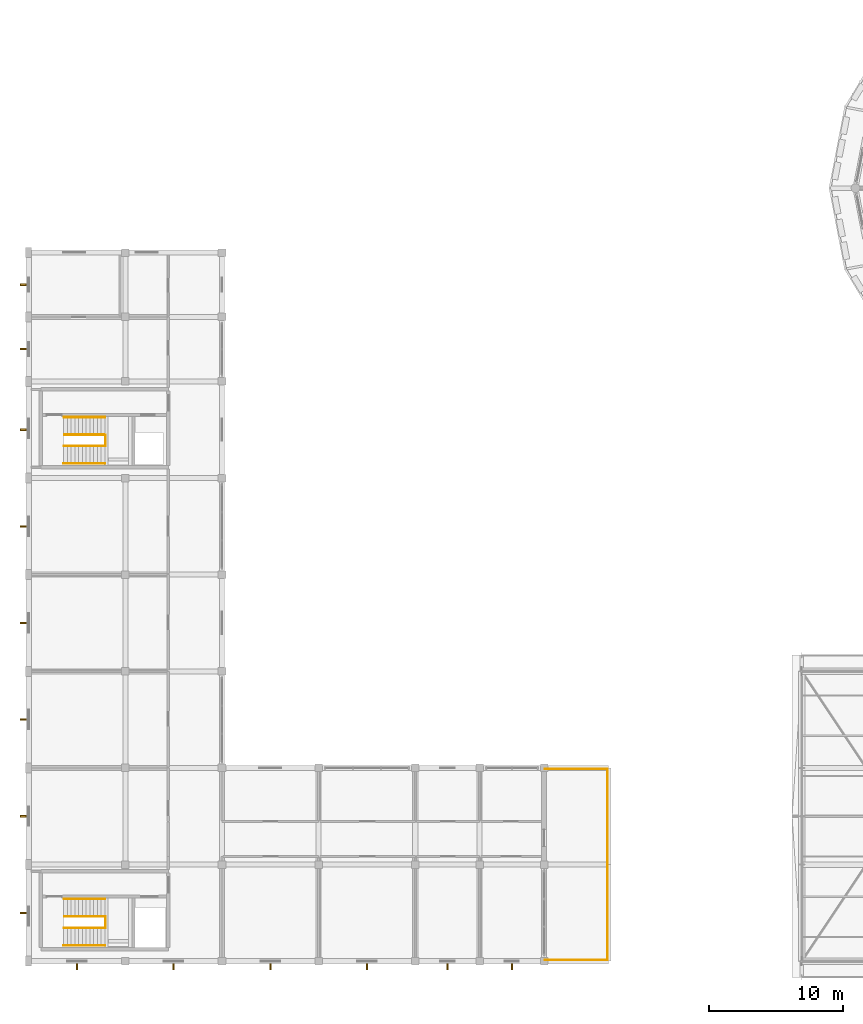
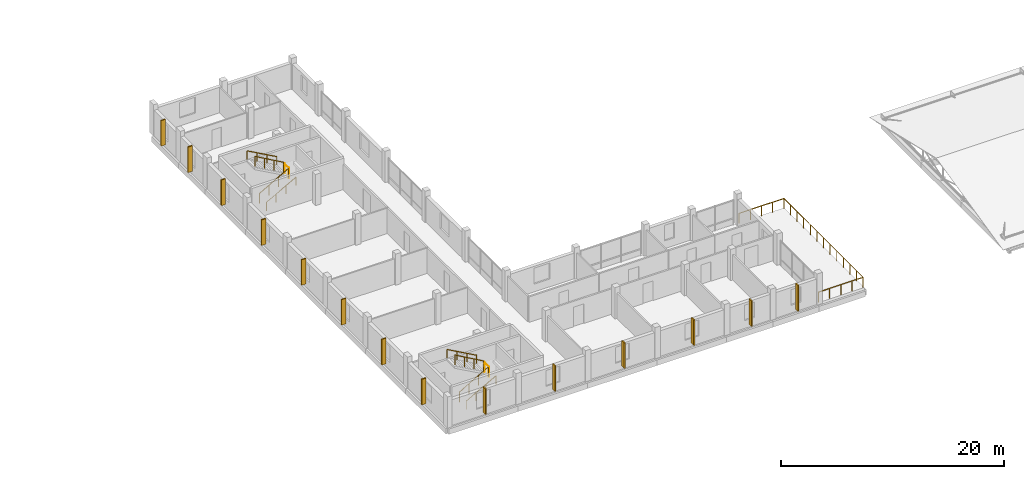
# One storey, part 79 of 84: 14 shading devices, 13 railings.
"""IFC4 building model written with IfcOpenShell, lengths in metres."""

from ifc_helpers import new_model, si_unit, direction, frame, origin, origin_2d, place, context, subcontext, project, spatial, rectangle, circle, extrude, material, type_object, element, save


model = new_model("IFC4")

# Units and contexts
model_context = context("Model", 3, precision=1e-05, world=origin(), true_north=direction((0.0, 1.0)))
body_context = subcontext(model_context, "Body", "Model", "MODEL_VIEW")
ifc_project = project(units=[si_unit("LENGTHUNIT", "METRE"), si_unit("AREAUNIT", "SQUARE_METRE"), si_unit("VOLUMEUNIT", "CUBIC_METRE"), si_unit("PLANEANGLEUNIT", "RADIAN"), si_unit("MASSUNIT", "GRAM", prefix="KILO")], contexts=[model_context])

# Site, building, storey
site_placement = place(None, origin())
site = spatial("IfcSite", under=ifc_project, at=site_placement, CompositionType="ELEMENT")
building_placement = place(site_placement, origin())
building = spatial("IfcBuilding", under=site, at=building_placement, Name="Zornivar Specialist Clinic", CompositionType="ELEMENT")
storey_placement = place(building_placement, frame((0.0, 0.0, 12.300048828125)))
storey = spatial("IfcBuildingStorey", under=building, at=storey_placement, Name="L03", CompositionType="ELEMENT", Elevation=12.300048828125)

# Railings
ifc_material_1 = material(Name="Brushed Stainless Steel Stair Guardrail", Category="steel")
railing_type_1 = type_object("IfcRailingType", Name="GRD-INT-STAIR-1100", PredefinedType="GUARDRAIL", material=ifc_material_1)
railing_1_placement = place(storey_placement, frame((2.639892578125, 2.47998046875, 0.154052734375)))
element("IfcRailing", 1, at=railing_1_placement, inside=storey, type_object=railing_type_1, Name="stair:C1:L03:grd1", PredefinedType="GUARDRAIL", context=body_context, shape_type="SweptSolid", body=[
    extrude(circle(Radius=0.02392578125, at=origin_2d()), frame((0.0, 0.0, 1.076171875), z_axis=(0.870544365607, 0.0, 0.492089938436), x_axis=(0.0, 1.0, 0.0)), (0.0, 0.0, 1.0), 3.446044921875),
    extrude(circle(Radius=0.02099609375, at=origin_2d()), origin(), (0.0, 0.0, 1.0), 1.052001953125),
    extrude(circle(Radius=0.02099609375, at=origin_2d()), frame((1.0, 0.0, 0.565185546875)), (0.0, 0.0, 1.0), 1.052001953125),
    extrude(circle(Radius=0.02099609375, at=origin_2d()), frame((2.0, 0.0, 1.130615234375)), (0.0, 0.0, 1.0), 1.052001953125),
    extrude(circle(Radius=0.02099609375, at=origin_2d()), frame((3.0, 0.0, 1.69580078125)), (0.0, 0.0, 1.0), 1.052001953125),
])
railing_2_placement = place(storey_placement, frame((5.639892578125, 3.320068359375, 2.00390625)))
element("IfcRailing", 2, at=railing_2_placement, inside=storey, type_object=railing_type_1, Name="stair:C1:L03:grd2", PredefinedType="GUARDRAIL", context=body_context, shape_type="SweptSolid", body=[
    extrude(circle(Radius=0.02392578125, at=origin_2d()), frame((0.0, 0.0, 1.076171875), z_axis=(-0.869096283189, 0.0, 0.49464295259), x_axis=(0.0, -1.0, 0.0)), (0.0, 0.0, 1.0), 3.4287109375),
    extrude(circle(Radius=0.02099609375, at=origin_2d()), origin(), (0.0, 0.0, 1.0), 1.052001953125),
    extrude(circle(Radius=0.02099609375, at=origin_2d()), frame((-0.993408203125, 0.0, 0.5654296875)), (0.0, 0.0, 1.0), 1.052001953125),
    extrude(circle(Radius=0.02099609375, at=origin_2d()), frame((-1.986572265625, 0.0, 1.130615234375)), (0.0, 0.0, 1.0), 1.052001953125),
    extrude(circle(Radius=0.02099609375, at=origin_2d()), frame((-2.97998046875, 0.0, 1.696044921875)), (0.0, 0.0, 1.0), 1.052001953125),
])
railing_3_placement = place(storey_placement, frame((5.7099609375, 2.47998046875, 1.849853515625)))
element("IfcRailing", 3, at=railing_3_placement, inside=storey, type_object=railing_type_1, Name="stair:C1:L03:grdl", PredefinedType="GUARDRAIL", context=body_context, shape_type="SweptSolid", body=[
    extrude(circle(Radius=0.02392578125, at=origin_2d()), frame((0.0, 0.0, 1.076171875), z_axis=(0.0, 1.0, 0.0), x_axis=(-1.0, 0.0, 0.0)), (0.0, 0.0, 1.0), 0.840087890625),
    extrude(circle(Radius=0.02099609375, at=origin_2d()), origin(), (0.0, 0.0, 1.0), 1.052001953125),
    extrude(circle(Radius=0.02099609375, at=origin_2d()), frame((0.0, 0.840087890625, 0.0)), (0.0, 0.0, 1.0), 1.052001953125),
])
railing_4_placement = place(storey_placement, frame((2.639892578125, 38.3798828125, 0.154052734375)))
element("IfcRailing", 4, at=railing_4_placement, inside=storey, type_object=railing_type_1, Name="stair:C2:L03:grd1", PredefinedType="GUARDRAIL", context=body_context, shape_type="SweptSolid", body=[
    extrude(circle(Radius=0.02392578125, at=origin_2d()), frame((0.0, 0.0, 1.076171875), z_axis=(0.870544365607, 0.0, 0.492089938436), x_axis=(0.0, 1.0, 0.0)), (0.0, 0.0, 1.0), 3.446044921875),
    extrude(circle(Radius=0.02099609375, at=origin_2d()), origin(), (0.0, 0.0, 1.0), 1.052001953125),
    extrude(circle(Radius=0.02099609375, at=origin_2d()), frame((1.0, 0.0, 0.565185546875)), (0.0, 0.0, 1.0), 1.052001953125),
    extrude(circle(Radius=0.02099609375, at=origin_2d()), frame((2.0, 0.0, 1.130615234375)), (0.0, 0.0, 1.0), 1.052001953125),
    extrude(circle(Radius=0.02099609375, at=origin_2d()), frame((3.0, 0.0, 1.69580078125)), (0.0, 0.0, 1.0), 1.052001953125),
])
railing_5_placement = place(storey_placement, frame((5.639892578125, 39.219970703125, 2.00390625)))
element("IfcRailing", 5, at=railing_5_placement, inside=storey, type_object=railing_type_1, Name="stair:C2:L03:grd2", PredefinedType="GUARDRAIL", context=body_context, shape_type="SweptSolid", body=[
    extrude(circle(Radius=0.02392578125, at=origin_2d()), frame((0.0, 0.0, 1.076171875), z_axis=(-0.869096283189, 0.0, 0.49464295259), x_axis=(0.0, -1.0, 0.0)), (0.0, 0.0, 1.0), 3.4287109375),
    extrude(circle(Radius=0.02099609375, at=origin_2d()), origin(), (0.0, 0.0, 1.0), 1.052001953125),
    extrude(circle(Radius=0.02099609375, at=origin_2d()), frame((-0.993408203125, 0.0, 0.5654296875)), (0.0, 0.0, 1.0), 1.052001953125),
    extrude(circle(Radius=0.02099609375, at=origin_2d()), frame((-1.986572265625, 0.0, 1.130615234375)), (0.0, 0.0, 1.0), 1.052001953125),
    extrude(circle(Radius=0.02099609375, at=origin_2d()), frame((-2.97998046875, 0.0, 1.696044921875)), (0.0, 0.0, 1.0), 1.052001953125),
])
railing_6_placement = place(storey_placement, frame((5.7099609375, 38.3798828125, 1.849853515625)))
element("IfcRailing", 6, at=railing_6_placement, inside=storey, type_object=railing_type_1, Name="stair:C2:L03:grdl", PredefinedType="GUARDRAIL", context=body_context, shape_type="SweptSolid", body=[
    extrude(circle(Radius=0.02392578125, at=origin_2d()), frame((0.0, 0.0, 1.076171875), z_axis=(0.0, 1.0, 0.0), x_axis=(-1.0, 0.0, 0.0)), (0.0, 0.0, 1.0), 0.840087890625),
    extrude(circle(Radius=0.02099609375, at=origin_2d()), origin(), (0.0, 0.0, 1.0), 1.052001953125),
    extrude(circle(Radius=0.02099609375, at=origin_2d()), frame((0.0, 0.840087890625, 0.0)), (0.0, 0.0, 1.0), 1.052001953125),
])
ifc_material_2 = material(Name="Anodised Bronze Terrace Guardrail")
railing_type_2 = type_object("IfcRailingType", Name="GRD-TERR-GUARD-1120", PredefinedType="GUARDRAIL", material=ifc_material_2)
railing_7_placement = place(storey_placement, frame((38.47998046875, 0.080078125, 0.0)))
element("IfcRailing", 7, at=railing_7_placement, inside=storey, type_object=railing_type_2, Name="rail:V2:L03:terr:0:0", PredefinedType="GUARDRAIL", context=body_context, shape_type="SweptSolid", body=[
    extrude(circle(Radius=0.02392578125, at=origin_2d()), frame((0.0, 0.0, 1.09619140625), z_axis=(1.0, 0.0, 0.0), x_axis=(0.0, 1.0, 0.0)), (0.0, 0.0, 1.0), 4.64013671875),
    extrude(circle(Radius=0.02099609375, at=origin_2d()), origin(), (0.0, 0.0, 1.0), 1.072021484375),
    extrude(circle(Radius=0.02099609375, at=origin_2d()), frame((1.16015625, 0.0, 0.0)), (0.0, 0.0, 1.0), 1.072021484375),
    extrude(circle(Radius=0.02099609375, at=origin_2d()), frame((2.320068359375, 0.0, 0.0)), (0.0, 0.0, 1.0), 1.072021484375),
    extrude(circle(Radius=0.02099609375, at=origin_2d()), frame((3.47998046875, 0.0, 0.0)), (0.0, 0.0, 1.0), 1.072021484375),
    extrude(circle(Radius=0.02099609375, at=origin_2d()), frame((4.64013671875, 0.0, 0.0)), (0.0, 0.0, 1.0), 1.072021484375),
])
railing_8_placement = place(storey_placement, frame((43.1201171875, 0.080078125, 0.0)))
element("IfcRailing", 8, at=railing_8_placement, inside=storey, type_object=railing_type_2, Name="rail:V2:L03:terr:0:1", PredefinedType="GUARDRAIL", context=body_context, shape_type="SweptSolid", body=[
    extrude(circle(Radius=0.02392578125, at=origin_2d()), frame((0.0, 0.0, 1.09619140625), z_axis=(0.0, 1.0, 0.0), x_axis=(-1.0, 0.0, 0.0)), (0.0, 0.0, 1.0), 14.239990234375),
    extrude(circle(Radius=0.02099609375, at=origin_2d()), origin(), (0.0, 0.0, 1.0), 1.072021484375),
    extrude(circle(Radius=0.02099609375, at=origin_2d()), frame((0.0, 1.186767578125, 0.0)), (0.0, 0.0, 1.0), 1.072021484375),
    extrude(circle(Radius=0.02099609375, at=origin_2d()), frame((0.0, 2.373291015625, 0.0)), (0.0, 0.0, 1.0), 1.072021484375),
    extrude(circle(Radius=0.02099609375, at=origin_2d()), frame((0.0, 3.56005859375, 0.0)), (0.0, 0.0, 1.0), 1.072021484375),
    extrude(circle(Radius=0.02099609375, at=origin_2d()), frame((0.0, 4.74658203125, 0.0)), (0.0, 0.0, 1.0), 1.072021484375),
    extrude(circle(Radius=0.02099609375, at=origin_2d()), frame((0.0, 5.933349609375, 0.0)), (0.0, 0.0, 1.0), 1.072021484375),
    extrude(circle(Radius=0.02099609375, at=origin_2d()), frame((0.0, 7.1201171875, 0.0)), (0.0, 0.0, 1.0), 1.072021484375),
    extrude(circle(Radius=0.02099609375, at=origin_2d()), frame((0.0, 8.306640625, 0.0)), (0.0, 0.0, 1.0), 1.072021484375),
    extrude(circle(Radius=0.02099609375, at=origin_2d()), frame((0.0, 9.493408203125, 0.0)), (0.0, 0.0, 1.0), 1.072021484375),
    extrude(circle(Radius=0.02099609375, at=origin_2d()), frame((0.0, 10.679931640625, 0.0)), (0.0, 0.0, 1.0), 1.072021484375),
    extrude(circle(Radius=0.02099609375, at=origin_2d()), frame((0.0, 11.86669921875, 0.0)), (0.0, 0.0, 1.0), 1.072021484375),
    extrude(circle(Radius=0.02099609375, at=origin_2d()), frame((0.0, 13.05322265625, 0.0)), (0.0, 0.0, 1.0), 1.072021484375),
    extrude(circle(Radius=0.02099609375, at=origin_2d()), frame((0.0, 14.239990234375, 0.0)), (0.0, 0.0, 1.0), 1.072021484375),
])
railing_9_placement = place(storey_placement, frame((43.1201171875, 14.320068359375, 0.0)))
element("IfcRailing", 9, at=railing_9_placement, inside=storey, type_object=railing_type_2, Name="rail:V2:L03:terr:0:2", PredefinedType="GUARDRAIL", context=body_context, shape_type="SweptSolid", body=[
    extrude(circle(Radius=0.02392578125, at=origin_2d()), frame((0.0, 0.0, 1.09619140625), z_axis=(-1.0, 0.0, 0.0), x_axis=(0.0, -1.0, 0.0)), (0.0, 0.0, 1.0), 4.64013671875),
    extrude(circle(Radius=0.02099609375, at=origin_2d()), origin(), (0.0, 0.0, 1.0), 1.072021484375),
    extrude(circle(Radius=0.02099609375, at=origin_2d()), frame((-1.16015625, 0.0, 0.0)), (0.0, 0.0, 1.0), 1.072021484375),
    extrude(circle(Radius=0.02099609375, at=origin_2d()), frame((-2.320068359375, 0.0, 0.0)), (0.0, 0.0, 1.0), 1.072021484375),
    extrude(circle(Radius=0.02099609375, at=origin_2d()), frame((-3.47998046875, 0.0, 0.0)), (0.0, 0.0, 1.0), 1.072021484375),
    extrude(circle(Radius=0.02099609375, at=origin_2d()), frame((-4.64013671875, 0.0, 0.0)), (0.0, 0.0, 1.0), 1.072021484375),
])
ifc_material_3 = material(Name="Brushed Stainless Steel Continuous Handrail", Category="steel")
railing_type_3 = type_object("IfcRailingType", Name="HRL-STAIR-0920", PredefinedType="HANDRAIL", material=ifc_material_3)
railing_10_placement = place(storey_placement, frame((2.60009765625, 1.169921875, 0.154052734375)))
element("IfcRailing", 10, at=railing_10_placement, inside=storey, type_object=railing_type_3, Name="stair:C1:L03:hr1", PredefinedType="HANDRAIL", context=body_context, shape_type="SweptSolid", body=[
    extrude(circle(Radius=0.02392578125, at=origin_2d()), frame((0.0, 0.0, 0.89599609375), z_axis=(0.875988564427, 0.0, 0.482331872256), x_axis=(0.0, 1.0, 0.0)), (0.0, 0.0, 1.0), 3.515869140625),
    extrude(circle(Radius=0.02099609375, at=origin_2d()), origin(), (0.0, 0.0, 1.0), 0.871826171875),
    extrude(circle(Radius=0.02099609375, at=origin_2d()), frame((1.026611328125, 0.0, 0.565185546875)), (0.0, 0.0, 1.0), 0.871826171875),
    extrude(circle(Radius=0.02099609375, at=origin_2d()), frame((2.05322265625, 0.0, 1.130615234375)), (0.0, 0.0, 1.0), 0.871826171875),
    extrude(circle(Radius=0.02099609375, at=origin_2d()), frame((3.079833984375, 0.0, 1.69580078125)), (0.0, 0.0, 1.0), 0.871826171875),
])
railing_11_placement = place(storey_placement, frame((5.679931640625, 4.6298828125, 2.00390625)))
element("IfcRailing", 11, at=railing_11_placement, inside=storey, type_object=railing_type_3, Name="stair:C1:L03:hr2", PredefinedType="HANDRAIL", context=body_context, shape_type="SweptSolid", body=[
    extrude(circle(Radius=0.02392578125, at=origin_2d()), frame((0.0, 0.0, 0.89599609375), z_axis=(-0.874624303793, 0.0, 0.484801327571), x_axis=(0.0, -1.0, 0.0)), (0.0, 0.0, 1.0), 3.49853515625),
    extrude(circle(Radius=0.02099609375, at=origin_2d()), origin(), (0.0, 0.0, 1.0), 0.871826171875),
    extrude(circle(Radius=0.02099609375, at=origin_2d()), frame((-1.02001953125, 0.0, 0.5654296875)), (0.0, 0.0, 1.0), 0.871826171875),
    extrude(circle(Radius=0.02099609375, at=origin_2d()), frame((-2.039794921875, 0.0, 1.130615234375)), (0.0, 0.0, 1.0), 0.871826171875),
    extrude(circle(Radius=0.02099609375, at=origin_2d()), frame((-3.059814453125, 0.0, 1.696044921875)), (0.0, 0.0, 1.0), 0.871826171875),
])
railing_12_placement = place(storey_placement, frame((2.60009765625, 37.070068359375, 0.154052734375)))
element("IfcRailing", 12, at=railing_12_placement, inside=storey, type_object=railing_type_3, Name="stair:C2:L03:hr1", PredefinedType="HANDRAIL", context=body_context, shape_type="SweptSolid", body=[
    extrude(circle(Radius=0.02392578125, at=origin_2d()), frame((0.0, 0.0, 0.89599609375), z_axis=(0.875988564427, 0.0, 0.482331872256), x_axis=(0.0, 1.0, 0.0)), (0.0, 0.0, 1.0), 3.515869140625),
    extrude(circle(Radius=0.02099609375, at=origin_2d()), origin(), (0.0, 0.0, 1.0), 0.871826171875),
    extrude(circle(Radius=0.02099609375, at=origin_2d()), frame((1.026611328125, 0.0, 0.565185546875)), (0.0, 0.0, 1.0), 0.871826171875),
    extrude(circle(Radius=0.02099609375, at=origin_2d()), frame((2.05322265625, 0.0, 1.130615234375)), (0.0, 0.0, 1.0), 0.871826171875),
    extrude(circle(Radius=0.02099609375, at=origin_2d()), frame((3.079833984375, 0.0, 1.69580078125)), (0.0, 0.0, 1.0), 0.871826171875),
])
railing_13_placement = place(storey_placement, frame((5.679931640625, 40.530029296875, 2.00390625)))
element("IfcRailing", 13, at=railing_13_placement, inside=storey, type_object=railing_type_3, Name="stair:C2:L03:hr2", PredefinedType="HANDRAIL", context=body_context, shape_type="SweptSolid", body=[
    extrude(circle(Radius=0.02392578125, at=origin_2d()), frame((0.0, 0.0, 0.89599609375), z_axis=(-0.874624303793, 0.0, 0.484801327571), x_axis=(0.0, -1.0, 0.0)), (0.0, 0.0, 1.0), 3.49853515625),
    extrude(circle(Radius=0.02099609375, at=origin_2d()), origin(), (0.0, 0.0, 1.0), 0.871826171875),
    extrude(circle(Radius=0.02099609375, at=origin_2d()), frame((-1.02001953125, 0.0, 0.5654296875)), (0.0, 0.0, 1.0), 0.871826171875),
    extrude(circle(Radius=0.02099609375, at=origin_2d()), frame((-2.039794921875, 0.0, 1.130615234375)), (0.0, 0.0, 1.0), 0.871826171875),
    extrude(circle(Radius=0.02099609375, at=origin_2d()), frame((-3.059814453125, 0.0, 1.696044921875)), (0.0, 0.0, 1.0), 0.871826171875),
])

# Shading devices
ifc_material_4 = material(Name="Oiled Larch and Bronze Solar Fin")
shading_device_type = type_object("IfcShadingDeviceType", Name="SHD-FACADE-FIN-450", PredefinedType="JALOUSIE", material=ifc_material_4)
for number, where, z_axis, x_axis, name in (
    (14, (3.60009765625, -0.405029296875, 0.32470703125), (0.0, 0.0, 1.0), (1.0, 0.0, 0.0), "fin:V2:L03:00"),
    (15, (10.800048828125, -0.405029296875, 0.32470703125), (0.0, 0.0, 1.0), (1.0, 0.0, 0.0), "fin:V2:L03:01"),
    (16, (18.0, -0.405029296875, 0.32470703125), (0.0, 0.0, 1.0), (1.0, 0.0, 0.0), "fin:V2:L03:02"),
    (17, (25.199951171875, -0.405029296875, 0.32470703125), (0.0, 0.0, 1.0), (1.0, 0.0, 0.0), "fin:V2:L03:03"),
    (18, (31.199951171875, -0.405029296875, 0.2998046875), (0.0, 0.0, 1.0), (1.0, 0.0, 0.0), "fin:V2:L03:04"),
    (19, (36.0, -0.405029296875, 0.2998046875), (0.0, 0.0, 1.0), (1.0, 0.0, 0.0), "fin:V2:L03:05"),
    (20, (-0.405029296875, 50.39990234375, 0.2998046875), (0.0, 0.0, 1.0), (0.0, -1.0, 0.0), "fin:V2:L03:20"),
    (21, (-0.405029296875, 45.60009765625, 0.2998046875), (0.0, 0.0, 1.0), (0.0, -1.0, 0.0), "fin:V2:L03:21"),
    (22, (-0.405029296875, 39.60009765625, 0.32470703125), (0.0, 0.0, 1.0), (0.0, -1.0, 0.0), "fin:V2:L03:22"),
    (23, (-0.405029296875, 32.39990234375, 0.32470703125), (0.0, 0.0, 1.0), (0.0, -1.0, 0.0), "fin:V2:L03:23"),
    (24, (-0.405029296875, 25.199951171875, 0.32470703125), (0.0, 0.0, 1.0), (0.0, -1.0, 0.0), "fin:V2:L03:24"),
    (25, (-0.405029296875, 18.0, 0.32470703125), (0.0, 0.0, 1.0), (0.0, -1.0, 0.0), "fin:V2:L03:25"),
    (26, (-0.405029296875, 10.800048828125, 0.32470703125), (0.0, 0.0, 1.0), (0.0, -1.0, 0.0), "fin:V2:L03:26"),
    (27, (-0.405029296875, 3.60009765625, 0.32470703125), (0.0, 0.0, 1.0), (0.0, -1.0, 0.0), "fin:V2:L03:27"),
):
    element("IfcShadingDevice", number, at=place(storey_placement, frame(where, z_axis=z_axis, x_axis=x_axis)), inside=storey, type_object=shading_device_type, Name=name, PredefinedType="JALOUSIE", context=body_context, shape_type="SweptSolid", body=[
        extrude(rectangle(XDim=0.1201171875, YDim=0.449951171875, at=origin_2d()), origin(), (0.0, 0.0, 1.0), 2.800048828125),
    ])

save(model, "model.ifc")
